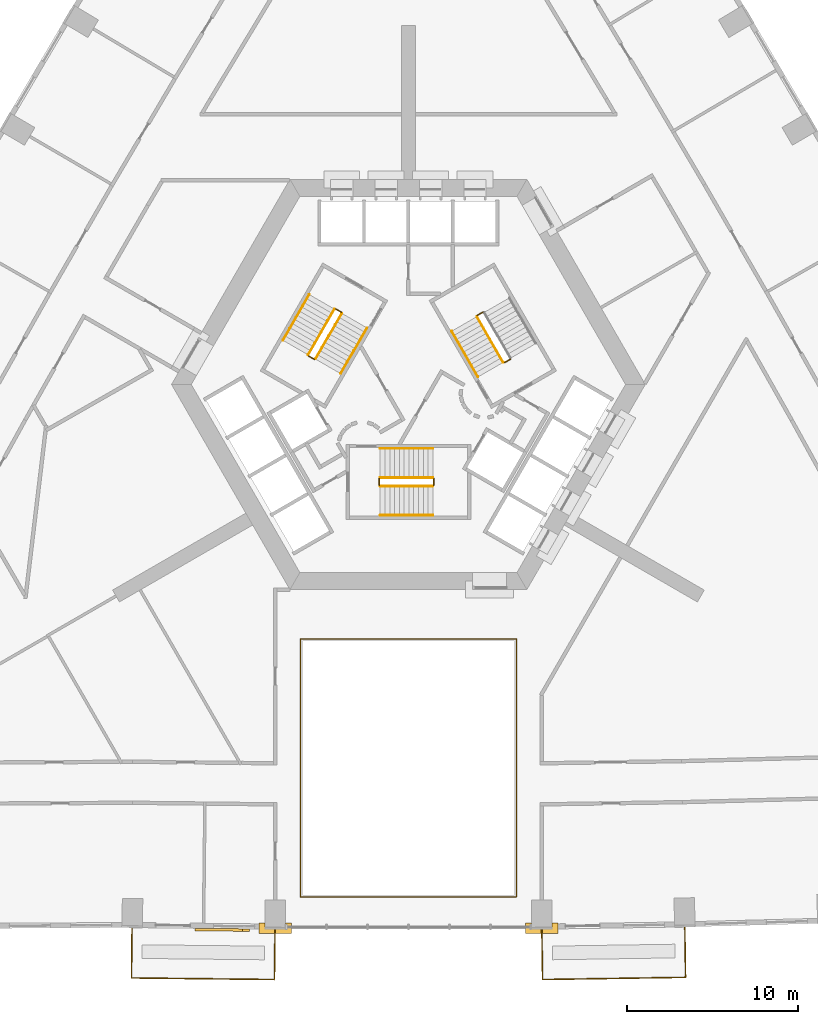
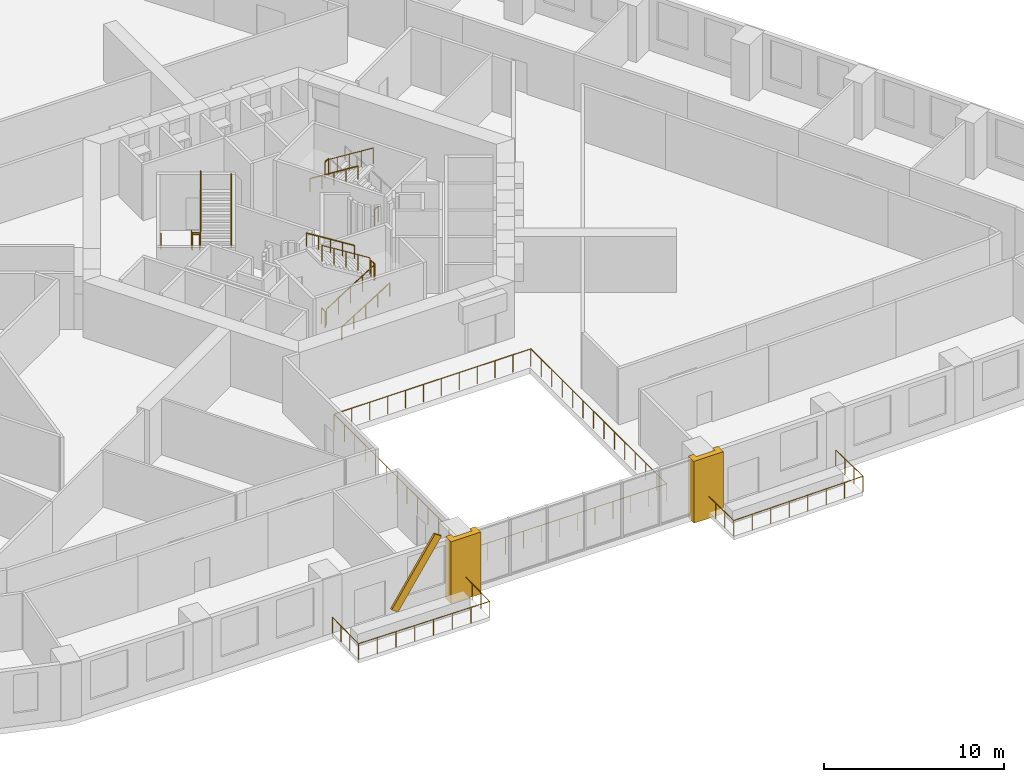
# One storey, part 13 of 14: 19 railings, 2 coverings, 1 shading device.
"""IFC4 building model written with IfcOpenShell, lengths in metres."""

from ifc_helpers import new_model, si_unit, direction, frame, origin, origin_2d, place, context, subcontext, project, spatial, polyline, rectangle, circle, outline, extrude, material, material_profile, profile_set, type_object, element, save


model = new_model("IFC4")

# Units and contexts
model_context = context("Model", 3, precision=1e-05, world=origin(), true_north=direction((0.0, 1.0)))
body_context = subcontext(model_context, "Body", "Model", "MODEL_VIEW")
ifc_project = project(units=[si_unit("LENGTHUNIT", "METRE"), si_unit("AREAUNIT", "SQUARE_METRE"), si_unit("VOLUMEUNIT", "CUBIC_METRE"), si_unit("PLANEANGLEUNIT", "RADIAN"), si_unit("MASSUNIT", "GRAM", prefix="KILO")], contexts=[model_context])

# Site, building, storey
site_placement = place(None, origin())
site = spatial("IfcSite", under=ifc_project, at=site_placement, CompositionType="ELEMENT")
building_placement = place(site_placement, origin())
building = spatial("IfcBuilding", under=site, at=building_placement, Name="Entoto Arch Interchange Tower", CompositionType="ELEMENT")
storey_placement = place(building_placement, frame((0.0, 0.0, 64.39990234375)))
storey = spatial("IfcBuildingStorey", under=building, at=storey_placement, Name="L13", CompositionType="ELEMENT", Elevation=64.39990234375)

# Railing
ifc_material_1 = material(Name="Stainless steel 1.4301", Category="steel")
railing_type_1 = type_object("IfcRailingType", Name="ATRIUM GUARD 1200 STEEL AND GLASS", PredefinedType="GUARDRAIL", material=ifc_material_1)
railing_1_placement = place(storey_placement, frame((6.320068359375, -27.48095703125, 0.0)))
element("IfcRailing", 1, at=railing_1_placement, inside=storey, type_object=railing_type_1, Name="Atrium guard L13", PredefinedType="GUARDRAIL", context=body_context, shape_type="SweptSolid", body=[
    extrude(circle(Radius=0.02392578125, at=origin_2d()), frame((0.0, 0.0, 1.17578125), z_axis=(-1.0, 0.0, 0.0), x_axis=(0.0, -1.0, 0.0)), (0.0, 0.0, 1.0), 12.64013671875),
    extrude(circle(Radius=0.02392578125, at=origin_2d()), frame((-12.64013671875, 0.0, 1.17578125), z_axis=(0.0, 1.0, 0.0), x_axis=(-1.0, 0.0, 0.0)), (0.0, 0.0, 1.0), 15.10107421875),
    extrude(circle(Radius=0.02392578125, at=origin_2d()), frame((-12.64013671875, 15.10107421875, 1.17578125), z_axis=(1.0, 0.0, 0.0), x_axis=(0.0, 1.0, 0.0)), (0.0, 0.0, 1.0), 12.64013671875),
    extrude(circle(Radius=0.02392578125, at=origin_2d()), frame((0.0, 15.10107421875, 1.17578125), z_axis=(0.0, -1.0, 0.0), x_axis=(1.0, 0.0, 0.0)), (0.0, 0.0, 1.0), 15.10107421875),
    extrude(circle(Radius=0.02099609375, at=origin_2d()), origin(), (0.0, 0.0, 1.0), 1.15185546875),
    extrude(circle(Radius=0.02099609375, at=origin_2d()), frame((-1.149169921875, 0.0, 0.0)), (0.0, 0.0, 1.0), 1.15185546875),
    extrude(circle(Radius=0.02099609375, at=origin_2d()), frame((-2.298095703125, 0.0, 0.0)), (0.0, 0.0, 1.0), 1.15185546875),
    extrude(circle(Radius=0.02099609375, at=origin_2d()), frame((-3.447265625, 0.0, 0.0)), (0.0, 0.0, 1.0), 1.15185546875),
    extrude(circle(Radius=0.02099609375, at=origin_2d()), frame((-4.596435546875, 0.0, 0.0)), (0.0, 0.0, 1.0), 1.15185546875),
    extrude(circle(Radius=0.02099609375, at=origin_2d()), frame((-5.74560546875, 0.0, 0.0)), (0.0, 0.0, 1.0), 1.15185546875),
    extrude(circle(Radius=0.02099609375, at=origin_2d()), frame((-6.89453125, 0.0, 0.0)), (0.0, 0.0, 1.0), 1.15185546875),
    extrude(circle(Radius=0.02099609375, at=origin_2d()), frame((-8.043701171875, 0.0, 0.0)), (0.0, 0.0, 1.0), 1.15185546875),
    extrude(circle(Radius=0.02099609375, at=origin_2d()), frame((-9.19287109375, 0.0, 0.0)), (0.0, 0.0, 1.0), 1.15185546875),
    extrude(circle(Radius=0.02099609375, at=origin_2d()), frame((-10.342041015625, 0.0, 0.0)), (0.0, 0.0, 1.0), 1.15185546875),
    extrude(circle(Radius=0.02099609375, at=origin_2d()), frame((-11.490966796875, 0.0, 0.0)), (0.0, 0.0, 1.0), 1.15185546875),
    extrude(circle(Radius=0.02099609375, at=origin_2d()), frame((-12.64013671875, 0.0, 0.0)), (0.0, 0.0, 1.0), 1.15185546875),
    extrude(circle(Radius=0.02099609375, at=origin_2d()), frame((-12.64013671875, 1.16162109375, 0.0)), (0.0, 0.0, 1.0), 1.15185546875),
    extrude(circle(Radius=0.02099609375, at=origin_2d()), frame((-12.64013671875, 2.3232421875, 0.0)), (0.0, 0.0, 1.0), 1.15185546875),
    extrude(circle(Radius=0.02099609375, at=origin_2d()), frame((-12.64013671875, 3.48486328125, 0.0)), (0.0, 0.0, 1.0), 1.15185546875),
    extrude(circle(Radius=0.02099609375, at=origin_2d()), frame((-12.64013671875, 4.646484375, 0.0)), (0.0, 0.0, 1.0), 1.15185546875),
    extrude(circle(Radius=0.02099609375, at=origin_2d()), frame((-12.64013671875, 5.80810546875, 0.0)), (0.0, 0.0, 1.0), 1.15185546875),
    extrude(circle(Radius=0.02099609375, at=origin_2d()), frame((-12.64013671875, 6.9697265625, 0.0)), (0.0, 0.0, 1.0), 1.15185546875),
    extrude(circle(Radius=0.02099609375, at=origin_2d()), frame((-12.64013671875, 8.13134765625, 0.0)), (0.0, 0.0, 1.0), 1.15185546875),
    extrude(circle(Radius=0.02099609375, at=origin_2d()), frame((-12.64013671875, 9.29296875, 0.0)), (0.0, 0.0, 1.0), 1.15185546875),
    extrude(circle(Radius=0.02099609375, at=origin_2d()), frame((-12.64013671875, 10.45458984375, 0.0)), (0.0, 0.0, 1.0), 1.15185546875),
    extrude(circle(Radius=0.02099609375, at=origin_2d()), frame((-12.64013671875, 11.6162109375, 0.0)), (0.0, 0.0, 1.0), 1.15185546875),
    extrude(circle(Radius=0.02099609375, at=origin_2d()), frame((-12.64013671875, 12.77783203125, 0.0)), (0.0, 0.0, 1.0), 1.15185546875),
    extrude(circle(Radius=0.02099609375, at=origin_2d()), frame((-12.64013671875, 13.939453125, 0.0)), (0.0, 0.0, 1.0), 1.15185546875),
    extrude(circle(Radius=0.02099609375, at=origin_2d()), frame((-12.64013671875, 15.10107421875, 0.0)), (0.0, 0.0, 1.0), 1.15185546875),
    extrude(circle(Radius=0.02099609375, at=origin_2d()), frame((-11.490966796875, 15.10107421875, 0.0)), (0.0, 0.0, 1.0), 1.15185546875),
    extrude(circle(Radius=0.02099609375, at=origin_2d()), frame((-10.342041015625, 15.10107421875, 0.0)), (0.0, 0.0, 1.0), 1.15185546875),
    extrude(circle(Radius=0.02099609375, at=origin_2d()), frame((-9.19287109375, 15.10107421875, 0.0)), (0.0, 0.0, 1.0), 1.15185546875),
    extrude(circle(Radius=0.02099609375, at=origin_2d()), frame((-8.043701171875, 15.10107421875, 0.0)), (0.0, 0.0, 1.0), 1.15185546875),
    extrude(circle(Radius=0.02099609375, at=origin_2d()), frame((-6.89453125, 15.10107421875, 0.0)), (0.0, 0.0, 1.0), 1.15185546875),
    extrude(circle(Radius=0.02099609375, at=origin_2d()), frame((-5.74560546875, 15.10107421875, 0.0)), (0.0, 0.0, 1.0), 1.15185546875),
    extrude(circle(Radius=0.02099609375, at=origin_2d()), frame((-4.596435546875, 15.10107421875, 0.0)), (0.0, 0.0, 1.0), 1.15185546875),
    extrude(circle(Radius=0.02099609375, at=origin_2d()), frame((-3.447265625, 15.10107421875, 0.0)), (0.0, 0.0, 1.0), 1.15185546875),
    extrude(circle(Radius=0.02099609375, at=origin_2d()), frame((-2.298095703125, 15.10107421875, 0.0)), (0.0, 0.0, 1.0), 1.15185546875),
    extrude(circle(Radius=0.02099609375, at=origin_2d()), frame((-1.149169921875, 15.10107421875, 0.0)), (0.0, 0.0, 1.0), 1.15185546875),
    extrude(circle(Radius=0.02099609375, at=origin_2d()), frame((0.0, 15.10107421875, 0.0)), (0.0, 0.0, 1.0), 1.15185546875),
    extrude(circle(Radius=0.02099609375, at=origin_2d()), frame((0.0, 13.939453125, 0.0)), (0.0, 0.0, 1.0), 1.15185546875),
    extrude(circle(Radius=0.02099609375, at=origin_2d()), frame((0.0, 12.77783203125, 0.0)), (0.0, 0.0, 1.0), 1.15185546875),
    extrude(circle(Radius=0.02099609375, at=origin_2d()), frame((0.0, 11.6162109375, 0.0)), (0.0, 0.0, 1.0), 1.15185546875),
    extrude(circle(Radius=0.02099609375, at=origin_2d()), frame((0.0, 10.45458984375, 0.0)), (0.0, 0.0, 1.0), 1.15185546875),
    extrude(circle(Radius=0.02099609375, at=origin_2d()), frame((0.0, 9.29296875, 0.0)), (0.0, 0.0, 1.0), 1.15185546875),
    extrude(circle(Radius=0.02099609375, at=origin_2d()), frame((0.0, 8.13134765625, 0.0)), (0.0, 0.0, 1.0), 1.15185546875),
    extrude(circle(Radius=0.02099609375, at=origin_2d()), frame((0.0, 6.9697265625, 0.0)), (0.0, 0.0, 1.0), 1.15185546875),
    extrude(circle(Radius=0.02099609375, at=origin_2d()), frame((0.0, 5.80810546875, 0.0)), (0.0, 0.0, 1.0), 1.15185546875),
    extrude(circle(Radius=0.02099609375, at=origin_2d()), frame((0.0, 4.646484375, 0.0)), (0.0, 0.0, 1.0), 1.15185546875),
    extrude(circle(Radius=0.02099609375, at=origin_2d()), frame((0.0, 3.48486328125, 0.0)), (0.0, 0.0, 1.0), 1.15185546875),
    extrude(circle(Radius=0.02099609375, at=origin_2d()), frame((0.0, 2.3232421875, 0.0)), (0.0, 0.0, 1.0), 1.15185546875),
    extrude(circle(Radius=0.02099609375, at=origin_2d()), frame((0.0, 1.16162109375, 0.0)), (0.0, 0.0, 1.0), 1.15185546875),
])

# Shading device
ifc_material_2 = material(Name="Board-marked precast concrete C50/60", Category="concrete")
ifc_material_profile = material_profile(ifc_material_2, rectangle(XDim=0.14990234375, YDim=0.5, at=origin_2d()))
ifc_profile_set = profile_set([ifc_material_profile], Name="Board-marked precast concrete C50/60")
shading_device_type = type_object("IfcShadingDeviceType", Name="FOLD BAND PRECAST 150x500", PredefinedType="USERDEFINED", material=ifc_profile_set)
shading_device_placement = place(storey_placement, frame((-12.26904296875, -29.385986328125, 0.25), z_axis=(0.550539686252, -0.006162395571, 0.834786247337), x_axis=(0.011192670962, 0.999937360096, 0.0)))
element("IfcShadingDevice", 2, at=shading_device_placement, inside=storey, type_object=shading_device_type, Name="Fold band L13", ObjectType="FOLD BAND", PredefinedType="USERDEFINED", context=body_context, shape_type="SweptSolid", body=[
    extrude(rectangle(XDim=0.14990234375, YDim=0.5, at=origin_2d()), origin(), (0.0, 0.0, 1.0), 5.031494140625),
])

# Railings
railing_type_2 = type_object("IfcRailingType", Name="GUARD 1100 STEEL AND GLASS", PredefinedType="GUARDRAIL", material=ifc_material_1)
railing_2_placement = place(storey_placement, frame((-16.169921875, -29.26806640625, 0.0)))
element("IfcRailing", 3, at=railing_2_placement, inside=storey, type_object=railing_type_2, Name="Balcony guard S-03 L13", PredefinedType="GUARDRAIL", context=body_context, shape_type="SweptSolid", body=[
    extrude(circle(Radius=0.02392578125, at=origin_2d()), frame((0.0, 0.0, 1.076171875), z_axis=(-0.011172024728, -0.999937590984, 0.0), x_axis=(0.999937590984, -0.011172024728, 0.0)), (0.0, 0.0, 1.0), 2.9501953125),
    extrude(circle(Radius=0.02392578125, at=origin_2d()), frame((-0.032958984375, -2.949951171875, 1.076171875), z_axis=(0.999938252114, -0.011112693582, 0.0), x_axis=(0.011112693582, 0.999938252114, 0.0)), (0.0, 0.0, 1.0), 8.370361328125),
    extrude(circle(Radius=0.02392578125, at=origin_2d()), frame((8.3369140625, -3.04296875, 1.076171875), z_axis=(0.011172024728, 0.999937590984, 0.0), x_axis=(-0.999937590984, 0.011172024728, 0.0)), (0.0, 0.0, 1.0), 2.9501953125),
    extrude(circle(Radius=0.02099609375, at=origin_2d()), origin(), (0.0, 0.0, 1.0), 1.052001953125),
    extrude(circle(Radius=0.02099609375, at=origin_2d()), frame((-0.010986328125, -0.9833984375, 0.0)), (0.0, 0.0, 1.0), 1.052001953125),
    extrude(circle(Radius=0.02099609375, at=origin_2d()), frame((-0.02197265625, -1.966552734375, 0.0)), (0.0, 0.0, 1.0), 1.052001953125),
    extrude(circle(Radius=0.02099609375, at=origin_2d()), frame((-0.032958984375, -2.949951171875, 0.0)), (0.0, 0.0, 1.0), 1.052001953125),
    extrude(circle(Radius=0.02099609375, at=origin_2d()), frame((1.162841796875, -2.963134765625, 0.0)), (0.0, 0.0, 1.0), 1.052001953125),
    extrude(circle(Radius=0.02099609375, at=origin_2d()), frame((2.3583984375, -2.9765625, 0.0)), (0.0, 0.0, 1.0), 1.052001953125),
    extrude(circle(Radius=0.02099609375, at=origin_2d()), frame((3.55419921875, -2.98974609375, 0.0)), (0.0, 0.0, 1.0), 1.052001953125),
    extrude(circle(Radius=0.02099609375, at=origin_2d()), frame((4.749755859375, -3.003173828125, 0.0)), (0.0, 0.0, 1.0), 1.052001953125),
    extrude(circle(Radius=0.02099609375, at=origin_2d()), frame((5.945556640625, -3.016357421875, 0.0)), (0.0, 0.0, 1.0), 1.052001953125),
    extrude(circle(Radius=0.02099609375, at=origin_2d()), frame((7.14111328125, -3.02978515625, 0.0)), (0.0, 0.0, 1.0), 1.052001953125),
    extrude(circle(Radius=0.02099609375, at=origin_2d()), frame((8.3369140625, -3.04296875, 0.0)), (0.0, 0.0, 1.0), 1.052001953125),
    extrude(circle(Radius=0.02099609375, at=origin_2d()), frame((8.347900390625, -2.0595703125, 0.0)), (0.0, 0.0, 1.0), 1.052001953125),
    extrude(circle(Radius=0.02099609375, at=origin_2d()), frame((8.35888671875, -1.076416015625, 0.0)), (0.0, 0.0, 1.0), 1.052001953125),
    extrude(circle(Radius=0.02099609375, at=origin_2d()), frame((8.369873046875, -0.093017578125, 0.0)), (0.0, 0.0, 1.0), 1.052001953125),
])
railing_3_placement = place(storey_placement, frame((7.800048828125, -29.361083984375, 0.0)))
element("IfcRailing", 4, at=railing_3_placement, inside=storey, type_object=railing_type_2, Name="Balcony guard S-05 L13", PredefinedType="GUARDRAIL", context=body_context, shape_type="SweptSolid", body=[
    extrude(circle(Radius=0.02392578125, at=origin_2d()), frame((0.0, 0.0, 1.076171875), z_axis=(0.015226240969, -0.999884074074, 0.0), x_axis=(0.999884074074, 0.015226240969, 0.0)), (0.0, 0.0, 1.0), 2.9501953125),
    extrude(circle(Radius=0.02392578125, at=origin_2d()), frame((0.044921875, -2.949951171875, 1.076171875), z_axis=(0.999880979756, 0.015428101689, 0.0), x_axis=(-0.015428101689, 0.999880979756, 0.0)), (0.0, 0.0, 1.0), 8.37109375),
    extrude(circle(Radius=0.02392578125, at=origin_2d()), frame((8.4150390625, -2.82080078125, 1.076171875), z_axis=(-0.015308972937, 0.999882810807, 0.0), x_axis=(-0.999882810807, -0.015308972937, 0.0)), (0.0, 0.0, 1.0), 2.9501953125),
    extrude(circle(Radius=0.02099609375, at=origin_2d()), origin(), (0.0, 0.0, 1.0), 1.052001953125),
    extrude(circle(Radius=0.02099609375, at=origin_2d()), frame((0.014892578125, -0.9833984375, 0.0)), (0.0, 0.0, 1.0), 1.052001953125),
    extrude(circle(Radius=0.02099609375, at=origin_2d()), frame((0.030029296875, -1.966552734375, 0.0)), (0.0, 0.0, 1.0), 1.052001953125),
    extrude(circle(Radius=0.02099609375, at=origin_2d()), frame((0.044921875, -2.949951171875, 0.0)), (0.0, 0.0, 1.0), 1.052001953125),
    extrude(circle(Radius=0.02099609375, at=origin_2d()), frame((1.24072265625, -2.931396484375, 0.0)), (0.0, 0.0, 1.0), 1.052001953125),
    extrude(circle(Radius=0.02099609375, at=origin_2d()), frame((2.436279296875, -2.9130859375, 0.0)), (0.0, 0.0, 1.0), 1.052001953125),
    extrude(circle(Radius=0.02099609375, at=origin_2d()), frame((3.632080078125, -2.89453125, 0.0)), (0.0, 0.0, 1.0), 1.052001953125),
    extrude(circle(Radius=0.02099609375, at=origin_2d()), frame((4.827880859375, -2.876220703125, 0.0)), (0.0, 0.0, 1.0), 1.052001953125),
    extrude(circle(Radius=0.02099609375, at=origin_2d()), frame((6.023681640625, -2.857666015625, 0.0)), (0.0, 0.0, 1.0), 1.052001953125),
    extrude(circle(Radius=0.02099609375, at=origin_2d()), frame((7.21923828125, -2.83935546875, 0.0)), (0.0, 0.0, 1.0), 1.052001953125),
    extrude(circle(Radius=0.02099609375, at=origin_2d()), frame((8.4150390625, -2.82080078125, 0.0)), (0.0, 0.0, 1.0), 1.052001953125),
    extrude(circle(Radius=0.02099609375, at=origin_2d()), frame((8.39990234375, -1.83740234375, 0.0)), (0.0, 0.0, 1.0), 1.052001953125),
    extrude(circle(Radius=0.02099609375, at=origin_2d()), frame((8.385009765625, -0.854248046875, 0.0)), (0.0, 0.0, 1.0), 1.052001953125),
    extrude(circle(Radius=0.02099609375, at=origin_2d()), frame((8.369873046875, 0.129150390625, 0.0)), (0.0, 0.0, 1.0), 1.052001953125),
])

# Coverings
covering_type = type_object("IfcCoveringType", Name="PRECAST FRAME COURSE", PredefinedType="CLADDING", material=ifc_material_2)
covering_1_placement = place(storey_placement, frame((0.0, 0.0, -0.39990234375)))
element("IfcCovering", 5, at=covering_1_placement, inside=storey, type_object=covering_type, Name="Gate pier L13", PredefinedType="CLADDING", context=body_context, shape_type="SweptSolid", body=[
    extrude(outline(polyline([(-8.742919921875, -29.0009765625), (-8.39306640625, -29.0009765625), (-8.39306640625, -29.260986328125), (-7.193115234375, -29.260986328125), (-7.193115234375, -29.0009765625), (-6.843017578125, -29.0009765625), (-6.843017578125, -29.611083984375), (-8.742919921875, -29.611083984375), (-8.742919921875, -29.0009765625)])), origin(), (0.0, 0.0, 1.0), 4.199951171875),
])
covering_2_placement = place(storey_placement, frame((0.0, 0.0, -0.39990234375)))
element("IfcCovering", 6, at=covering_2_placement, inside=storey, type_object=covering_type, Name="Gate pier L13", PredefinedType="CLADDING", context=body_context, shape_type="SweptSolid", body=[
    extrude(outline(polyline([(6.843017578125, -29.0009765625), (7.193115234375, -29.0009765625), (7.193115234375, -29.260986328125), (8.39306640625, -29.260986328125), (8.39306640625, -29.0009765625), (8.742919921875, -29.0009765625), (8.742919921875, -29.611083984375), (6.843017578125, -29.611083984375), (6.843017578125, -29.0009765625)])), origin(), (0.0, 0.0, 1.0), 4.199951171875),
])

# Railings
railing_type_3 = type_object("IfcRailingType", Name="STAIR GUARD 1100 STEEL", PredefinedType="GUARDRAIL", material=ifc_material_1)
railing_4_placement = place(storey_placement, frame((-1.64990234375, -3.449951171875, 0.175048828125)))
element("IfcRailing", 7, at=railing_4_placement, inside=storey, type_object=railing_type_3, Name="L13 ST-S stair guard 1", PredefinedType="GUARDRAIL", context=body_context, shape_type="SweptSolid", body=[
    extrude(circle(Radius=0.02392578125, at=origin_2d()), frame((0.0, 0.0, 1.076171875), z_axis=(0.847979421464, 0.0, 0.530029150871), x_axis=(0.0, 1.0, 0.0)), (0.0, 0.0, 1.0), 3.632080078125),
    extrude(circle(Radius=0.02099609375, at=origin_2d()), origin(), (0.0, 0.0, 1.0), 1.052001953125),
    extrude(circle(Radius=0.02099609375, at=origin_2d()), frame((0.77001953125, 0.0, 0.481201171875)), (0.0, 0.0, 1.0), 1.052001953125),
    extrude(circle(Radius=0.02099609375, at=origin_2d()), frame((1.5400390625, 0.0, 0.96240234375)), (0.0, 0.0, 1.0), 1.052001953125),
    extrude(circle(Radius=0.02099609375, at=origin_2d()), frame((2.309814453125, 0.0, 1.44384765625)), (0.0, 0.0, 1.0), 1.052001953125),
    extrude(circle(Radius=0.02099609375, at=origin_2d()), frame((3.079833984375, 0.0, 1.925048828125)), (0.0, 0.0, 1.0), 1.052001953125),
])
railing_5_placement = place(storey_placement, frame((1.47998046875, -3.39990234375, 2.10009765625)))
element("IfcRailing", 8, at=railing_5_placement, inside=storey, type_object=railing_type_3, Name="L13 ST-S stair guard 2", PredefinedType="GUARDRAIL", context=body_context, shape_type="SweptSolid", body=[
    extrude(circle(Radius=0.02392578125, at=origin_2d()), frame((0.0, 0.0, 1.076171875), z_axis=(0.0, 1.0, 0.0), x_axis=(-1.0, 0.0, 0.0)), (0.0, 0.0, 1.0), 0.39990234375),
    extrude(circle(Radius=0.02099609375, at=origin_2d()), origin(), (0.0, 0.0, 1.0), 1.052001953125),
    extrude(circle(Radius=0.02099609375, at=origin_2d()), frame((0.0, 0.39990234375, 0.0)), (0.0, 0.0, 1.0), 1.052001953125),
])
railing_6_placement = place(storey_placement, frame((1.429931640625, -2.949951171875, 2.275146484375)))
element("IfcRailing", 9, at=railing_6_placement, inside=storey, type_object=railing_type_3, Name="L13 ST-S stair guard 3", PredefinedType="GUARDRAIL", context=body_context, shape_type="SweptSolid", body=[
    extrude(circle(Radius=0.02392578125, at=origin_2d()), frame((0.0, 0.0, 1.076171875), z_axis=(-0.847979421464, 0.0, 0.530029150871), x_axis=(0.0, -1.0, 0.0)), (0.0, 0.0, 1.0), 3.632080078125),
    extrude(circle(Radius=0.02099609375, at=origin_2d()), origin(), (0.0, 0.0, 1.0), 1.052001953125),
    extrude(circle(Radius=0.02099609375, at=origin_2d()), frame((-0.77001953125, 0.0, 0.481201171875)), (0.0, 0.0, 1.0), 1.052001953125),
    extrude(circle(Radius=0.02099609375, at=origin_2d()), frame((-1.5400390625, 0.0, 0.96240234375)), (0.0, 0.0, 1.0), 1.052001953125),
    extrude(circle(Radius=0.02099609375, at=origin_2d()), frame((-2.309814453125, 0.0, 1.44384765625)), (0.0, 0.0, 1.0), 1.052001953125),
    extrude(circle(Radius=0.02099609375, at=origin_2d()), frame((-3.079833984375, 0.0, 1.925048828125)), (0.0, 0.0, 1.0), 1.052001953125),
])
railing_7_placement = place(storey_placement, frame((-1.699951171875, -3.39990234375, 0.0)))
element("IfcRailing", 10, at=railing_7_placement, inside=storey, type_object=railing_type_3, Name="L13 ST-S stair guard 4", PredefinedType="GUARDRAIL", context=body_context, shape_type="SweptSolid", body=[
    extrude(circle(Radius=0.02392578125, at=origin_2d()), frame((0.0, 0.0, 1.076171875), z_axis=(0.0, 1.0, 0.0), x_axis=(-1.0, 0.0, 0.0)), (0.0, 0.0, 1.0), 0.39990234375),
    extrude(circle(Radius=0.02099609375, at=origin_2d()), origin(), (0.0, 0.0, 1.0), 1.052001953125),
    extrude(circle(Radius=0.02099609375, at=origin_2d()), frame((0.0, 0.39990234375, 0.0)), (0.0, 0.0, 1.0), 1.052001953125),
])
railing_8_placement = place(storey_placement, frame((4.36962890625, 6.731689453125, 2.10009765625)))
element("IfcRailing", 11, at=railing_8_placement, inside=storey, type_object=railing_type_3, Name="L13 ST-NE stair guard 2", PredefinedType="GUARDRAIL", context=body_context, shape_type="SweptSolid", body=[
    extrude(circle(Radius=0.02392578125, at=origin_2d()), frame((0.0, 0.0, 1.076171875), z_axis=(-0.866094119867, -0.499880961361, 0.0), x_axis=(0.499880961361, -0.866094119867, 0.0)), (0.0, 0.0, 1.0), 0.39990234375),
    extrude(circle(Radius=0.02099609375, at=origin_2d()), origin(), (0.0, 0.0, 1.0), 1.052001953125),
    extrude(circle(Radius=0.02099609375, at=origin_2d()), frame((-0.346435546875, -0.199951171875, 0.0)), (0.0, 0.0, 1.0), 1.052001953125),
])
railing_9_placement = place(storey_placement, frame((4.0048828125, 6.46337890625, 2.275146484375)))
element("IfcRailing", 12, at=railing_9_placement, inside=storey, type_object=railing_type_3, Name="L13 ST-NE stair guard 3", PredefinedType="GUARDRAIL", context=body_context, shape_type="SweptSolid", body=[
    extrude(circle(Radius=0.02392578125, at=origin_2d()), frame((0.0, 0.0, 1.076171875), z_axis=(0.424015404183, -0.734364028329, 0.530019255228), x_axis=(0.866010015463, 0.500026652407, 0.0)), (0.0, 0.0, 1.0), 3.632080078125),
    extrude(circle(Radius=0.02099609375, at=origin_2d()), origin(), (0.0, 0.0, 1.0), 1.052001953125),
    extrude(circle(Radius=0.02099609375, at=origin_2d()), frame((0.385009765625, -0.666748046875, 0.481201171875)), (0.0, 0.0, 1.0), 1.052001953125),
    extrude(circle(Radius=0.02099609375, at=origin_2d()), frame((0.77001953125, -1.33349609375, 0.96240234375)), (0.0, 0.0, 1.0), 1.052001953125),
    extrude(circle(Radius=0.02099609375, at=origin_2d()), frame((1.155029296875, -2.00048828125, 1.44384765625)), (0.0, 0.0, 1.0), 1.052001953125),
    extrude(circle(Radius=0.02099609375, at=origin_2d()), frame((1.5400390625, -2.667236328125, 1.925048828125)), (0.0, 0.0, 1.0), 1.052001953125),
])
railing_10_placement = place(storey_placement, frame((5.95947265625, 3.977783203125, 0.0)))
element("IfcRailing", 13, at=railing_10_placement, inside=storey, type_object=railing_type_3, Name="L13 ST-NE stair guard 4", PredefinedType="GUARDRAIL", context=body_context, shape_type="SweptSolid", body=[
    extrude(circle(Radius=0.02392578125, at=origin_2d()), frame((0.0, 0.0, 1.076171875), z_axis=(-0.866094119867, -0.499880961361, 0.0), x_axis=(0.499880961361, -0.866094119867, 0.0)), (0.0, 0.0, 1.0), 0.39990234375),
    extrude(circle(Radius=0.02099609375, at=origin_2d()), origin(), (0.0, 0.0, 1.0), 1.052001953125),
    extrude(circle(Radius=0.02099609375, at=origin_2d()), frame((-0.346435546875, -0.199951171875, 0.0)), (0.0, 0.0, 1.0), 1.052001953125),
])
railing_11_placement = place(storey_placement, frame((-4.327880859375, 6.904052734375, 0.175048828125)))
element("IfcRailing", 14, at=railing_11_placement, inside=storey, type_object=railing_type_3, Name="L13 ST-NW stair guard 1", PredefinedType="GUARDRAIL", context=body_context, shape_type="SweptSolid", body=[
    extrude(circle(Radius=0.02392578125, at=origin_2d()), frame((0.0, 0.0, 1.076171875), z_axis=(-0.423994474112, -0.734394994316, 0.52999309264), x_axis=(0.866029832698, -0.499992328818, 0.0)), (0.0, 0.0, 1.0), 3.63232421875),
    extrude(circle(Radius=0.02099609375, at=origin_2d()), origin(), (0.0, 0.0, 1.0), 1.052001953125),
    extrude(circle(Radius=0.02099609375, at=origin_2d()), frame((-0.385009765625, -0.6669921875, 0.481201171875)), (0.0, 0.0, 1.0), 1.052001953125),
    extrude(circle(Radius=0.02099609375, at=origin_2d()), frame((-0.77001953125, -1.333740234375, 0.96240234375)), (0.0, 0.0, 1.0), 1.052001953125),
    extrude(circle(Radius=0.02099609375, at=origin_2d()), frame((-1.155029296875, -2.00048828125, 1.44384765625)), (0.0, 0.0, 1.0), 1.052001953125),
    extrude(circle(Radius=0.02099609375, at=origin_2d()), frame((-1.5400390625, -2.66748046875, 1.925048828125)), (0.0, 0.0, 1.0), 1.052001953125),
])
railing_12_placement = place(storey_placement, frame((-5.849609375, 4.168212890625, 2.10009765625)))
element("IfcRailing", 15, at=railing_12_placement, inside=storey, type_object=railing_type_3, Name="L13 ST-NW stair guard 2", PredefinedType="GUARDRAIL", context=body_context, shape_type="SweptSolid", body=[
    extrude(circle(Radius=0.02392578125, at=origin_2d()), frame((0.0, 0.0, 1.076171875), z_axis=(0.866094119867, -0.499880961361, 0.0), x_axis=(0.499880961361, 0.866094119867, 0.0)), (0.0, 0.0, 1.0), 0.39990234375),
    extrude(circle(Radius=0.02099609375, at=origin_2d()), origin(), (0.0, 0.0, 1.0), 1.052001953125),
    extrude(circle(Radius=0.02099609375, at=origin_2d()), frame((0.346435546875, -0.199951171875, 0.0)), (0.0, 0.0, 1.0), 1.052001953125),
])
railing_13_placement = place(storey_placement, frame((-5.434814453125, 3.986572265625, 2.275146484375)))
element("IfcRailing", 16, at=railing_13_placement, inside=storey, type_object=railing_type_3, Name="L13 ST-NW stair guard 3", PredefinedType="GUARDRAIL", context=body_context, shape_type="SweptSolid", body=[
    extrude(circle(Radius=0.02392578125, at=origin_2d()), frame((0.0, 0.0, 1.076171875), z_axis=(0.423994474112, 0.734394994316, 0.52999309264), x_axis=(-0.866029832698, 0.499992328818, 0.0)), (0.0, 0.0, 1.0), 3.63232421875),
    extrude(circle(Radius=0.02099609375, at=origin_2d()), origin(), (0.0, 0.0, 1.0), 1.052001953125),
    extrude(circle(Radius=0.02099609375, at=origin_2d()), frame((0.385009765625, 0.6669921875, 0.481201171875)), (0.0, 0.0, 1.0), 1.052001953125),
    extrude(circle(Radius=0.02099609375, at=origin_2d()), frame((0.77001953125, 1.333740234375, 0.96240234375)), (0.0, 0.0, 1.0), 1.052001953125),
    extrude(circle(Radius=0.02099609375, at=origin_2d()), frame((1.155029296875, 2.00048828125, 1.44384765625)), (0.0, 0.0, 1.0), 1.052001953125),
    extrude(circle(Radius=0.02099609375, at=origin_2d()), frame((1.5400390625, 2.66748046875, 1.925048828125)), (0.0, 0.0, 1.0), 1.052001953125),
])
railing_14_placement = place(storey_placement, frame((-4.259521484375, 6.92236328125, 0.0)))
element("IfcRailing", 17, at=railing_14_placement, inside=storey, type_object=railing_type_3, Name="L13 ST-NW stair guard 4", PredefinedType="GUARDRAIL", context=body_context, shape_type="SweptSolid", body=[
    extrude(circle(Radius=0.02392578125, at=origin_2d()), frame((0.0, 0.0, 1.076171875), z_axis=(0.865829829939, -0.500338590944, 0.0), x_axis=(0.500338590944, 0.865829829939, 0.0)), (0.0, 0.0, 1.0), 0.400146484375),
    extrude(circle(Radius=0.02099609375, at=origin_2d()), origin(), (0.0, 0.0, 1.0), 1.052001953125),
    extrude(circle(Radius=0.02099609375, at=origin_2d()), frame((0.346435546875, -0.2001953125, 0.0)), (0.0, 0.0, 1.0), 1.052001953125),
])
railing_type_4 = type_object("IfcRailingType", Name="STAIR HANDRAIL 900 STEEL", PredefinedType="HANDRAIL", material=ifc_material_1)
railing_15_placement = place(storey_placement, frame((-1.64990234375, -5.14990234375, 0.175048828125)))
element("IfcRailing", 18, at=railing_15_placement, inside=storey, type_object=railing_type_4, Name="L13 ST-S stair handrail 1", PredefinedType="HANDRAIL", context=body_context, shape_type="SweptSolid", body=[
    extrude(circle(Radius=0.02392578125, at=origin_2d()), frame((0.0, 0.0, 0.8759765625), z_axis=(0.847979421464, 0.0, 0.530029150871), x_axis=(0.0, 1.0, 0.0)), (0.0, 0.0, 1.0), 3.632080078125),
    extrude(circle(Radius=0.02099609375, at=origin_2d()), origin(), (0.0, 0.0, 1.0), 0.851806640625),
    extrude(circle(Radius=0.02099609375, at=origin_2d()), frame((0.77001953125, 0.0, 0.481201171875)), (0.0, 0.0, 1.0), 0.851806640625),
    extrude(circle(Radius=0.02099609375, at=origin_2d()), frame((1.5400390625, 0.0, 0.96240234375)), (0.0, 0.0, 1.0), 0.851806640625),
    extrude(circle(Radius=0.02099609375, at=origin_2d()), frame((2.309814453125, 0.0, 1.44384765625)), (0.0, 0.0, 1.0), 0.851806640625),
    extrude(circle(Radius=0.02099609375, at=origin_2d()), frame((3.079833984375, 0.0, 1.925048828125)), (0.0, 0.0, 1.0), 0.851806640625),
])
railing_16_placement = place(storey_placement, frame((1.429931640625, -1.25, 2.275146484375)))
element("IfcRailing", 19, at=railing_16_placement, inside=storey, type_object=railing_type_4, Name="L13 ST-S stair handrail 2", PredefinedType="HANDRAIL", context=body_context, shape_type="SweptSolid", body=[
    extrude(circle(Radius=0.02392578125, at=origin_2d()), frame((0.0, 0.0, 0.8759765625), z_axis=(-0.847979421464, 0.0, 0.530029150871), x_axis=(0.0, -1.0, 0.0)), (0.0, 0.0, 1.0), 3.632080078125),
    extrude(circle(Radius=0.02099609375, at=origin_2d()), origin(), (0.0, 0.0, 1.0), 0.851806640625),
    extrude(circle(Radius=0.02099609375, at=origin_2d()), frame((-0.77001953125, 0.0, 0.481201171875)), (0.0, 0.0, 1.0), 0.851806640625),
    extrude(circle(Radius=0.02099609375, at=origin_2d()), frame((-1.5400390625, 0.0, 0.96240234375)), (0.0, 0.0, 1.0), 0.851806640625),
    extrude(circle(Radius=0.02099609375, at=origin_2d()), frame((-2.309814453125, 0.0, 1.44384765625)), (0.0, 0.0, 1.0), 0.851806640625),
    extrude(circle(Radius=0.02099609375, at=origin_2d()), frame((-3.079833984375, 0.0, 1.925048828125)), (0.0, 0.0, 1.0), 0.851806640625),
])
railing_17_placement = place(storey_placement, frame((2.53271484375, 5.613525390625, 2.275146484375)))
element("IfcRailing", 20, at=railing_17_placement, inside=storey, type_object=railing_type_4, Name="L13 ST-NE stair handrail 2", PredefinedType="HANDRAIL", context=body_context, shape_type="SweptSolid", body=[
    extrude(circle(Radius=0.02392578125, at=origin_2d()), frame((0.0, 0.0, 0.8759765625), z_axis=(0.423939339791, -0.734415923031, 0.53000819633), x_axis=(0.866064153644, 0.499932877268, 0.0)), (0.0, 0.0, 1.0), 3.632080078125),
    extrude(circle(Radius=0.02099609375, at=origin_2d()), origin(), (0.0, 0.0, 1.0), 0.851806640625),
    extrude(circle(Radius=0.02099609375, at=origin_2d()), frame((0.385009765625, -0.6669921875, 0.481201171875)), (0.0, 0.0, 1.0), 0.851806640625),
    extrude(circle(Radius=0.02099609375, at=origin_2d()), frame((0.77001953125, -1.333740234375, 0.96240234375)), (0.0, 0.0, 1.0), 0.851806640625),
    extrude(circle(Radius=0.02099609375, at=origin_2d()), frame((1.15478515625, -2.00048828125, 1.44384765625)), (0.0, 0.0, 1.0), 0.851806640625),
    extrude(circle(Radius=0.02099609375, at=origin_2d()), frame((1.539794921875, -2.66748046875, 1.925048828125)), (0.0, 0.0, 1.0), 0.851806640625),
])
railing_18_placement = place(storey_placement, frame((-5.800048828125, 7.75390625, 0.175048828125)))
element("IfcRailing", 21, at=railing_18_placement, inside=storey, type_object=railing_type_4, Name="L13 ST-NW stair handrail 1", PredefinedType="HANDRAIL", context=body_context, shape_type="SweptSolid", body=[
    extrude(circle(Radius=0.02392578125, at=origin_2d()), frame((0.0, 0.0, 0.8759765625), z_axis=(-0.424015404183, -0.734364028329, 0.530019255228), x_axis=(0.866010015463, -0.500026652407, 0.0)), (0.0, 0.0, 1.0), 3.632080078125),
    extrude(circle(Radius=0.02099609375, at=origin_2d()), origin(), (0.0, 0.0, 1.0), 0.851806640625),
    extrude(circle(Radius=0.02099609375, at=origin_2d()), frame((-0.385009765625, -0.666748046875, 0.481201171875)), (0.0, 0.0, 1.0), 0.851806640625),
    extrude(circle(Radius=0.02099609375, at=origin_2d()), frame((-0.77001953125, -1.33349609375, 0.96240234375)), (0.0, 0.0, 1.0), 0.851806640625),
    extrude(circle(Radius=0.02099609375, at=origin_2d()), frame((-1.155029296875, -2.00048828125, 1.44384765625)), (0.0, 0.0, 1.0), 0.851806640625),
    extrude(circle(Radius=0.02099609375, at=origin_2d()), frame((-1.5400390625, -2.667236328125, 1.925048828125)), (0.0, 0.0, 1.0), 0.851806640625),
])
railing_19_placement = place(storey_placement, frame((-3.962646484375, 3.136474609375, 2.275146484375)))
element("IfcRailing", 22, at=railing_19_placement, inside=storey, type_object=railing_type_4, Name="L13 ST-NW stair handrail 2", PredefinedType="HANDRAIL", context=body_context, shape_type="SweptSolid", body=[
    extrude(circle(Radius=0.02392578125, at=origin_2d()), frame((0.0, 0.0, 0.8759765625), z_axis=(0.423994474112, 0.734394994316, 0.52999309264), x_axis=(-0.866029832698, 0.499992328818, 0.0)), (0.0, 0.0, 1.0), 3.63232421875),
    extrude(circle(Radius=0.02099609375, at=origin_2d()), origin(), (0.0, 0.0, 1.0), 0.851806640625),
    extrude(circle(Radius=0.02099609375, at=origin_2d()), frame((0.385009765625, 0.6669921875, 0.481201171875)), (0.0, 0.0, 1.0), 0.851806640625),
    extrude(circle(Radius=0.02099609375, at=origin_2d()), frame((0.77001953125, 1.333740234375, 0.96240234375)), (0.0, 0.0, 1.0), 0.851806640625),
    extrude(circle(Radius=0.02099609375, at=origin_2d()), frame((1.155029296875, 2.00048828125, 1.44384765625)), (0.0, 0.0, 1.0), 0.851806640625),
    extrude(circle(Radius=0.02099609375, at=origin_2d()), frame((1.5400390625, 2.66748046875, 1.925048828125)), (0.0, 0.0, 1.0), 0.851806640625),
])

save(model, "model.ifc")
